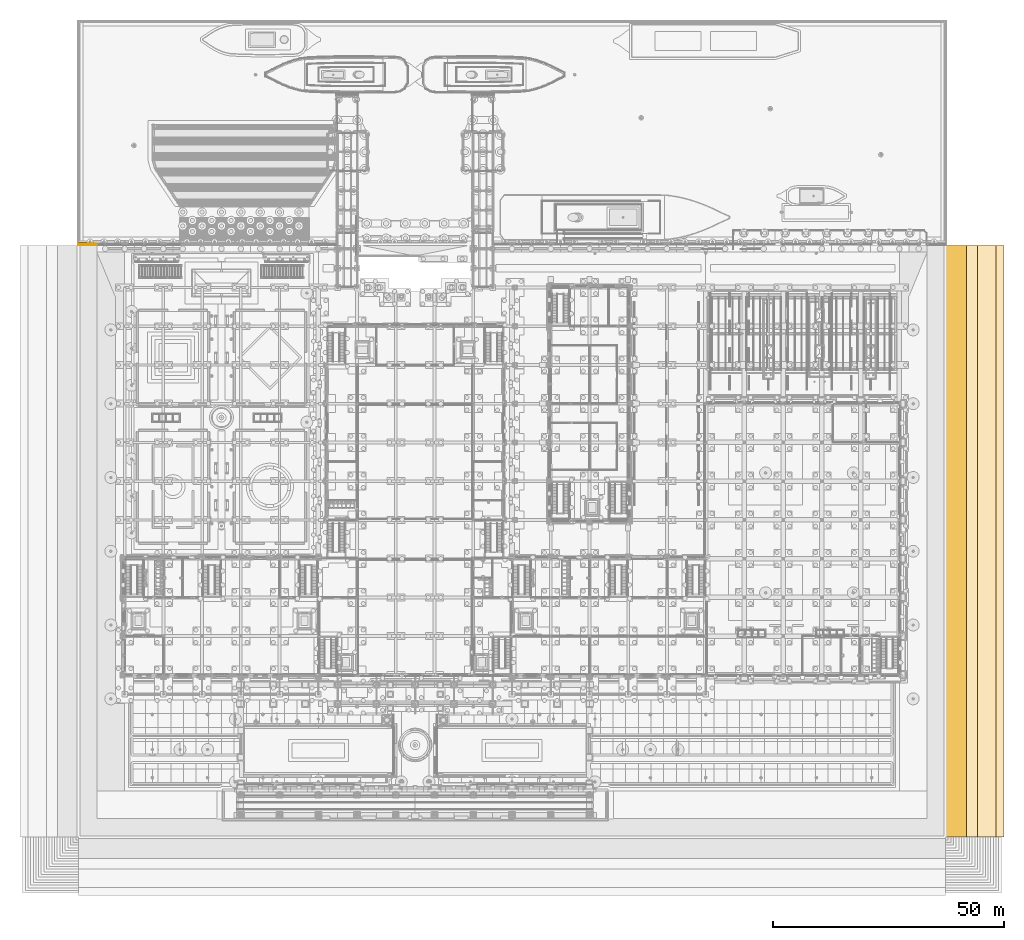
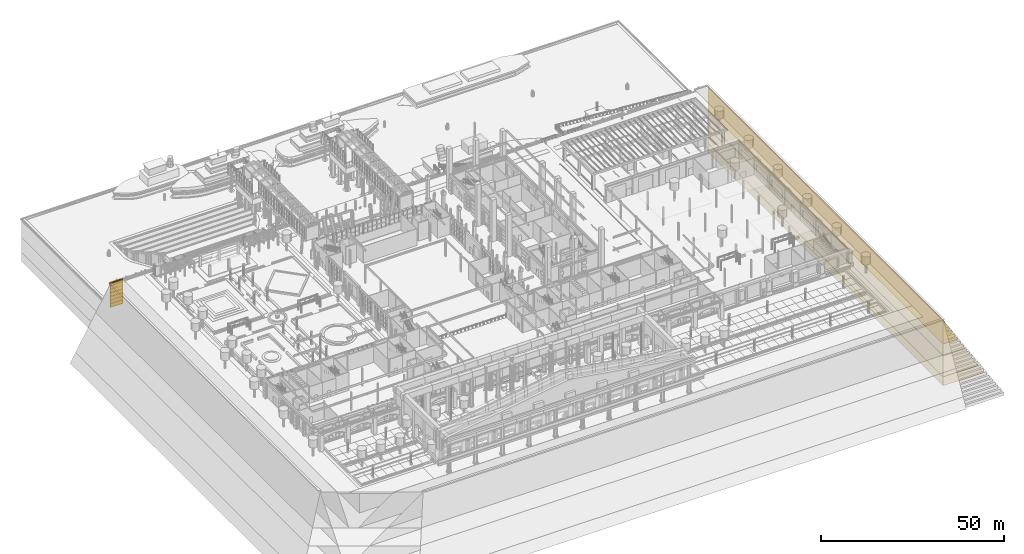
# One storey, part 173 of 222: 13 coverings.
"""IFC4 building model written with IfcOpenShell, lengths in metres."""

from ifc_helpers import new_model, si_unit, direction, frame, origin, place, context, subcontext, project, spatial, polyline, outline, extrude, material, layer, layer_set, type_object, element, save


model = new_model("IFC4")

# Units and contexts
model_context = context("Model", 3, precision=1e-05, world=origin(), true_north=direction((0.0, 1.0)))
body_context = subcontext(model_context, "Body", "Model", "MODEL_VIEW")
ifc_project = project(units=[si_unit("LENGTHUNIT", "METRE"), si_unit("AREAUNIT", "SQUARE_METRE"), si_unit("VOLUMEUNIT", "CUBIC_METRE"), si_unit("PLANEANGLEUNIT", "RADIAN"), si_unit("MASSUNIT", "GRAM", prefix="KILO")], contexts=[model_context])

# Site, building, storey
site_placement = place(None, origin())
site = spatial("IfcSite", under=ifc_project, at=site_placement, CompositionType="ELEMENT")
building_placement = place(site_placement, origin())
building = spatial("IfcBuilding", under=site, at=building_placement, Name="Sava Quay Ferry Terminal", CompositionType="ELEMENT")
storey_placement = place(building_placement, origin())
storey = spatial("IfcBuildingStorey", under=building, at=storey_placement, Name="L00", CompositionType="ELEMENT", Elevation=0.0)

# Coverings
ifc_material_1 = material(Name="Compacted gravel fill")
ifc_layer_1 = layer(ifc_material_1, 7.97998046875)
ifc_layer_set_1 = layer_set([ifc_layer_1], Name="Compacted gravel fill")
covering_type_1 = type_object("IfcCoveringType", Name="Made ground at quay level", PredefinedType="CLADDING", material=ifc_layer_set_1)
covering_1_placement = place(storey_placement, frame((178.0, -10.0, -0.02001953125), z_axis=(0.0, 1.0, 0.0), x_axis=(-1.0, 0.0, 0.0)))
element("IfcCovering", 1, at=covering_1_placement, inside=storey, type_object=covering_type_1, Name="Made ground at quay level", PredefinedType="CLADDING", context=body_context, shape_type="SweptSolid", body=[
    extrude(outline(polyline([(0.0, 0.0), (-4.607421875, -7.97998046875), (0.0, -7.97998046875), (0.0, 0.0)])), origin(), (0.0, 0.0, 1.0), 128.35009765625),
])
ifc_material_2 = material(Name="Marl")
ifc_layer_2 = layer(ifc_material_2, 3.0)
ifc_layer_set_2 = layer_set([ifc_layer_2], Name="Marl")
covering_type_2 = type_object("IfcCoveringType", Name="Marl", PredefinedType="CLADDING", material=ifc_layer_set_2)
covering_2_placement = place(storey_placement, frame((178.0, -10.0, -19.0), z_axis=(0.0, 1.0, 0.0), x_axis=(-1.0, 0.0, 0.0)))
element("IfcCovering", 2, at=covering_2_placement, inside=storey, type_object=covering_type_2, Name="Marl", PredefinedType="CLADDING", context=body_context, shape_type="SweptSolid", body=[
    extrude(outline(polyline([(0.0, 0.0), (-10.9580078125, 0.0), (-12.690185546875, -3.0), (0.0, -3.0), (0.0, 0.0)])), origin(), (0.0, 0.0, 1.0), 128.35009765625),
])
ifc_material_3 = material(Name="Limestone Mutalj", Category="masonry")
ifc_layer_3 = layer(ifc_material_3, 0.39990234375)
ifc_layer_set_3 = layer_set([ifc_layer_3], Name="Limestone Mutalj")
covering_type_3 = type_object("IfcCoveringType", Name="Quay wall coping 400", PredefinedType="MOLDING", material=ifc_layer_set_3)
covering_3_placement = place(storey_placement, frame((0.0, 0.0, -0.199951171875)))
element("IfcCovering", 3, at=covering_3_placement, inside=storey, type_object=covering_type_3, Name="Quay wall coping", PredefinedType="MOLDING", context=body_context, shape_type="SweptSolid", body=[
    extrude(outline(polyline([(-6.0, 118.5), (-6.0, 118.89990234375), (-10.0, 118.89990234375), (-10.0, 118.5), (-6.0, 118.5)])), origin(), (0.0, 0.0, 1.0), 0.199951171875),
])
ifc_material_4 = material(Name="Limestone Mutalj", Category="masonry")
ifc_layer_4 = layer(ifc_material_4, 0.35009765625)
ifc_layer_set_4 = layer_set([ifc_layer_4], Name="Limestone Mutalj")
covering_type_4 = type_object("IfcCoveringType", Name="Quay wall cornice 350", PredefinedType="MOLDING", material=ifc_layer_set_4)
covering_4_placement = place(storey_placement, frame((0.0, 0.0, -0.800048828125)))
element("IfcCovering", 4, at=covering_4_placement, inside=storey, type_object=covering_type_4, Name="Quay wall cornice", PredefinedType="MOLDING", context=body_context, shape_type="SweptSolid", body=[
    extrude(outline(polyline([(-6.0, 118.5), (-6.0, 118.85009765625), (-10.0, 118.85009765625), (-10.0, 118.5), (-6.0, 118.5)])), origin(), (0.0, 0.0, 1.0), 0.60009765625),
])
ifc_material_5 = material(Name="Limestone Mutalj", Category="masonry")
ifc_layer_5 = layer(ifc_material_5, 0.14990234375)
ifc_layer_set_5 = layer_set([ifc_layer_5], Name="Limestone Mutalj")
covering_type_5 = type_object("IfcCoveringType", Name="Quay wall facing 150", PredefinedType="CLADDING", material=ifc_layer_set_5)
covering_5_placement = place(storey_placement, frame((0.0, 0.0, -8.0)))
element("IfcCovering", 5, at=covering_5_placement, inside=storey, type_object=covering_type_5, Name="Quay wall facing", PredefinedType="CLADDING", context=body_context, shape_type="SweptSolid", body=[
    extrude(outline(polyline([(-6.0, 118.35009765625), (-6.0, 118.5), (-10.0, 118.5), (-10.0, 118.35009765625), (-6.0, 118.35009765625)])), origin(), (0.0, 0.0, 1.0), 7.800048828125),
])
ifc_material_6 = material(Name="Limestone Mutalj", Category="masonry")
ifc_layer_6 = layer(ifc_material_6, 0.050048828125)
ifc_layer_set_6 = layer_set([ifc_layer_6], Name="Limestone Mutalj")
covering_type_6 = type_object("IfcCoveringType", Name="Rustication course 250", PredefinedType="MOLDING", material=ifc_layer_set_6)
covering_6_placement = place(storey_placement, frame((0.0, 0.0, -7.93994140625)))
element("IfcCovering", 6, at=covering_6_placement, inside=storey, type_object=covering_type_6, Name="Rustication course", PredefinedType="MOLDING", context=body_context, shape_type="SweptSolid", body=[
    extrude(outline(polyline([(-6.0, 118.5), (-6.0, 118.550048828125), (-10.0, 118.550048828125), (-10.0, 118.5), (-6.0, 118.5)])), origin(), (0.0, 0.0, 1.0), 1.079833984375),
])
for number, where, name in (
    (7, (0.0, 0.0, -6.739990234375), "Rustication course"),
    (8, (0.0, 0.0, -5.5400390625), "Rustication course"),
    (9, (0.0, 0.0, -4.340087890625), "Rustication course"),
):
    element("IfcCovering", number, at=place(storey_placement, frame(where)), inside=storey, type_object=covering_type_6, Name=name, PredefinedType="MOLDING", context=body_context, shape_type="SweptSolid", body=[
        extrude(outline(polyline([(-6.0, 118.5), (-6.0, 118.550048828125), (-10.0, 118.550048828125), (-10.0, 118.5), (-6.0, 118.5)])), origin(), (0.0, 0.0, 1.0), 1.080078125),
    ])
for number, where, name in (
    (10, (0.0, 0.0, -3.139892578125), "Rustication course"),
    (11, (0.0, 0.0, -1.93994140625), "Rustication course"),
):
    element("IfcCovering", number, at=place(storey_placement, frame(where)), inside=storey, type_object=covering_type_6, Name=name, PredefinedType="MOLDING", context=body_context, shape_type="SweptSolid", body=[
        extrude(outline(polyline([(-6.0, 118.5), (-6.0, 118.550048828125), (-10.0, 118.550048828125), (-10.0, 118.5), (-6.0, 118.5)])), origin(), (0.0, 0.0, 1.0), 1.079833984375),
    ])
ifc_material_7 = material(Name="Sand and gravel")
ifc_layer_7 = layer(ifc_material_7, 7.0)
ifc_layer_set_7 = layer_set([ifc_layer_7], Name="Sand and gravel")
covering_type_7 = type_object("IfcCoveringType", Name="Sand and gravel", PredefinedType="CLADDING", material=ifc_layer_set_7)
covering_7_placement = place(storey_placement, frame((178.0, -10.0, -12.0), z_axis=(0.0, 1.0, 0.0), x_axis=(-1.0, 0.0, 0.0)))
element("IfcCovering", 12, at=covering_7_placement, inside=storey, type_object=covering_type_7, Name="Sand and gravel", PredefinedType="CLADDING", context=body_context, shape_type="SweptSolid", body=[
    extrude(outline(polyline([(0.0, 0.0), (-6.916748046875, 0.0), (-10.9580078125, -7.0), (0.0, -7.0), (0.0, 0.0)])), origin(), (0.0, 0.0, 1.0), 128.35009765625),
])
ifc_material_8 = material(Name="Silty and sandy clay")
ifc_layer_8 = layer(ifc_material_8, 4.0)
ifc_layer_set_8 = layer_set([ifc_layer_8], Name="Silty and sandy clay")
covering_type_8 = type_object("IfcCoveringType", Name="Silty and sandy clay", PredefinedType="CLADDING", material=ifc_layer_set_8)
covering_8_placement = place(storey_placement, frame((178.0, -10.0, -8.0), z_axis=(0.0, 1.0, 0.0), x_axis=(-1.0, 0.0, 0.0)))
element("IfcCovering", 13, at=covering_8_placement, inside=storey, type_object=covering_type_8, Name="Silty and sandy clay", PredefinedType="CLADDING", context=body_context, shape_type="SweptSolid", body=[
    extrude(outline(polyline([(0.0, 0.0), (-4.607421875, 0.0), (-6.916748046875, -4.0), (0.0, -4.0), (0.0, 0.0)])), origin(), (0.0, 0.0, 1.0), 128.35009765625),
])

save(model, "model.ifc")
